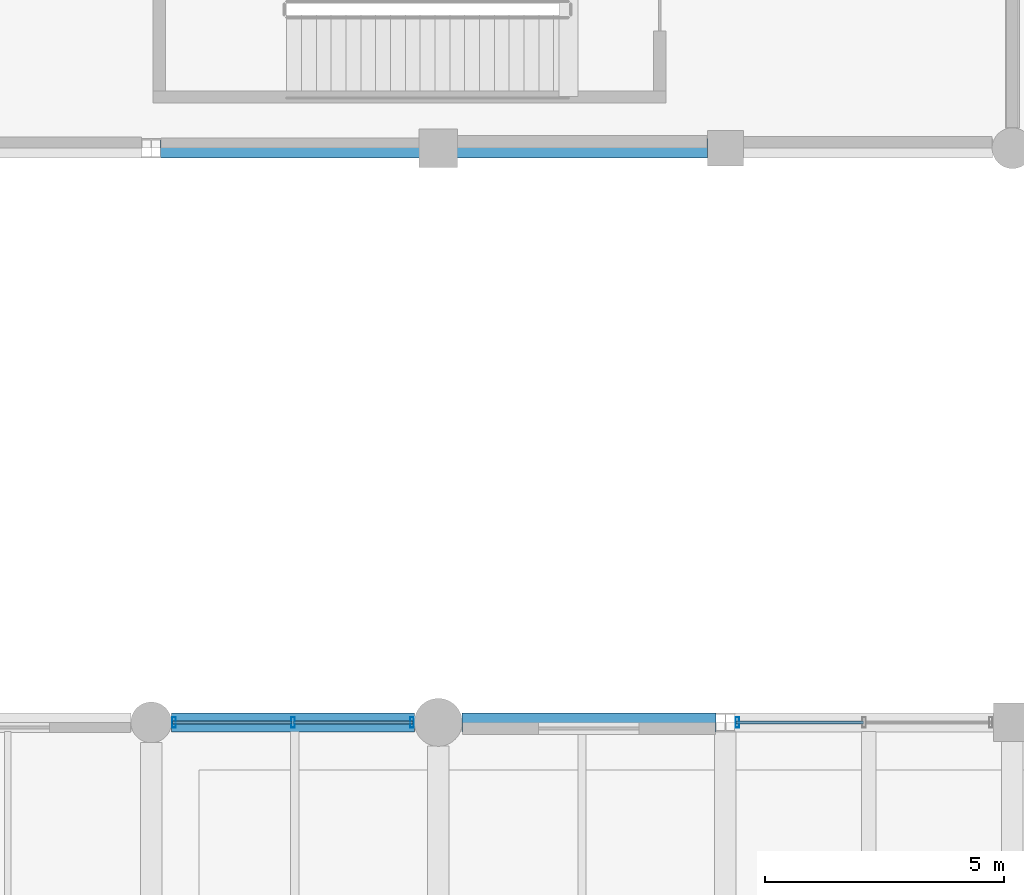
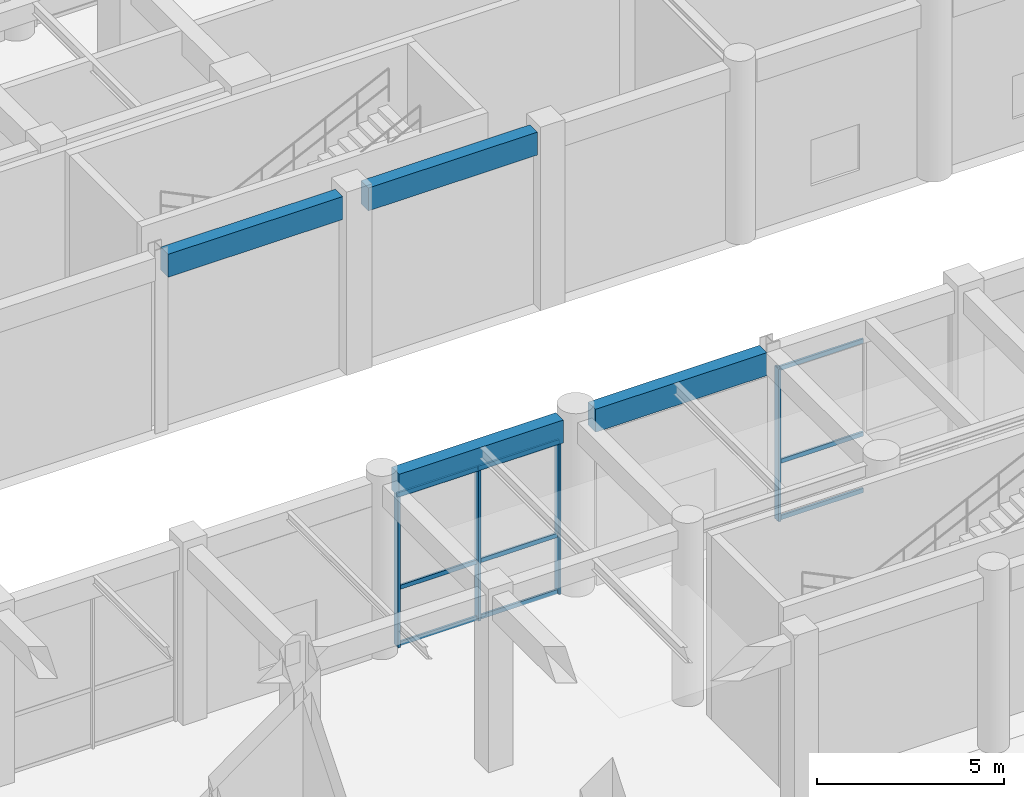
# One storey, part 40 of 106: 13 members, 4 beams, 2 elements without a shape of their own.
"""IFC4 building model written with IfcOpenShell, lengths in metres."""

from ifc_helpers import new_model, si_unit, direction, frame, origin, origin_2d, place, context, subcontext, project, spatial, rectangle, hollow_rectangle, extrude, material, material_profile, profile_set, type_object, element, aggregate, save


model = new_model("IFC4")

# Units and contexts
model_context = context("Model", 3, precision=1e-05, world=origin(), true_north=direction((0.0, 1.0)))
body_context = subcontext(model_context, "Body", "Model", "MODEL_VIEW")
ifc_project = project(units=[si_unit("LENGTHUNIT", "METRE"), si_unit("AREAUNIT", "SQUARE_METRE"), si_unit("VOLUMEUNIT", "CUBIC_METRE"), si_unit("PLANEANGLEUNIT", "RADIAN"), si_unit("MASSUNIT", "GRAM", prefix="KILO"), si_unit("THERMODYNAMICTEMPERATUREUNIT", "KELVIN"), si_unit("POWERUNIT", "WATT")], contexts=[model_context])

# Site, building, storey
site_placement = place(None, origin())
site = spatial("IfcSite", under=ifc_project, at=site_placement, CompositionType="ELEMENT")
building_placement = place(site_placement, origin())
building = spatial("IfcBuilding", under=site, at=building_placement, Name="Phaisarnlok Congress Hotel", CompositionType="ELEMENT")
storey_placement = place(building_placement, origin())
storey = spatial("IfcBuildingStorey", under=building, at=storey_placement, Name="L00", CompositionType="ELEMENT", Elevation=0.0)

# Curtain wall, member
ifc_material_1 = material(Name="Thermally Broken Unitised Aluminium & Low-E Glazing", Category="aluminium")
curtain_wall_type_1 = type_object("IfcCurtainWallType", Name="CW-UNIT-04", PredefinedType="NOTDEFINED", material=ifc_material_1)
curtain_wall_1_placement = place(storey_placement, origin())
curtain_wall_1 = element("IfcCurtainWall", 1, at=curtain_wall_1_placement, inside=storey, type_object=curtain_wall_type_1, Name="Unitised curtain wall CW-04 (L00)", PredefinedType="NOTDEFINED")
ifc_material_2 = material(Name="Anodised Aluminium Alloy 6063-T6", Category="aluminium")
ifc_material_profile_1 = material_profile(ifc_material_2, hollow_rectangle(XDim=0.074951171875, YDim=0.219970703125, WallThickness=0.0048828125, at=origin_2d()), Name="ALU-M 75x220x5")
ifc_profile_set_1 = profile_set([ifc_material_profile_1], Name="Anodised Aluminium Alloy 6063-T6")
member_type_1 = type_object("IfcMemberType", Name="CWM-220", PredefinedType="MULLION", material=ifc_profile_set_1)
member_1_placement = place(storey_placement, frame((78.25048828125, 96.0, 0.0), z_axis=(0.0, 0.0, 1.0), x_axis=(-1.0, 0.0, 0.0)))
member_1 = element("IfcMember", 2, at=member_1_placement, type_object=member_type_1, Name="Curtain wall mullion CWM-02", PredefinedType="MULLION", context=body_context, shape_type="SweptSolid", body=[
    extrude(hollow_rectangle(XDim=0.074951171875, YDim=0.219970703125, WallThickness=0.0048828125, at=origin_2d()), origin(), (0.0, 0.0, 1.0), 4.989990234375),
])

# Curtain wall, members
curtain_wall_type_2 = type_object("IfcCurtainWallType", Name="CW-UNIT-01", PredefinedType="NOTDEFINED", material=ifc_material_1)
curtain_wall_2_placement = place(storey_placement, origin())
curtain_wall_2 = element("IfcCurtainWall", 3, at=curtain_wall_2_placement, inside=storey, type_object=curtain_wall_type_2, Name="Unitised curtain wall CW-01 (L00)", PredefinedType="NOTDEFINED")
member_2_placement = place(storey_placement, frame((71.449951171875, 96.0, 0.0), z_axis=(0.0, 0.0, 1.0), x_axis=(-1.0, 0.0, 0.0)))
member_2 = element("IfcMember", 4, at=member_2_placement, type_object=member_type_1, Name="Curtain wall mullion CWM-02", PredefinedType="MULLION", context=body_context, shape_type="SweptSolid", body=[
    extrude(hollow_rectangle(XDim=0.074951171875, YDim=0.219970703125, WallThickness=0.0048828125, at=origin_2d()), origin(), (0.0, 0.0, 1.0), 4.989990234375),
])
member_3_placement = place(storey_placement, frame((68.96240234375, 96.0, 0.0), z_axis=(0.0, 0.0, 1.0), x_axis=(-1.0, 0.0, 0.0)))
member_3 = element("IfcMember", 5, at=member_3_placement, type_object=member_type_1, Name="Curtain wall mullion CWM-02", PredefinedType="MULLION", context=body_context, shape_type="SweptSolid", body=[
    extrude(hollow_rectangle(XDim=0.074951171875, YDim=0.219970703125, WallThickness=0.0048828125, at=origin_2d()), origin(), (0.0, 0.0, 1.0), 4.989990234375),
])
member_4_placement = place(storey_placement, frame((66.47509765625, 96.0, 0.0), z_axis=(0.0, 0.0, 1.0), x_axis=(-1.0, 0.0, 0.0)))
member_4 = element("IfcMember", 6, at=member_4_placement, type_object=member_type_1, Name="Curtain wall mullion CWM-02", PredefinedType="MULLION", context=body_context, shape_type="SweptSolid", body=[
    extrude(hollow_rectangle(XDim=0.074951171875, YDim=0.219970703125, WallThickness=0.0048828125, at=origin_2d()), origin(), (0.0, 0.0, 1.0), 4.989990234375),
])

# Member
ifc_material_profile_2 = material_profile(ifc_material_2, hollow_rectangle(XDim=0.06494140625, YDim=0.139892578125, WallThickness=0.00390625, at=origin_2d()), Name="ALU-T 65x140x4")
ifc_profile_set_2 = profile_set([ifc_material_profile_2], Name="Anodised Aluminium Alloy 6063-T6")
member_type_2 = type_object("IfcMemberType", Name="CWT-150", PredefinedType="USERDEFINED", material=ifc_profile_set_2)
member_5_placement = place(storey_placement, frame((80.88525390625, 96.0, 0.050048828125), z_axis=(-1.0, 0.0, 0.0), x_axis=(0.0, -1.0, 0.0)))
member_5 = element("IfcMember", 7, at=member_5_placement, type_object=member_type_2, Name="Curtain wall transom CWT-01", ObjectType="TRANSOM", PredefinedType="USERDEFINED", context=body_context, shape_type="SweptSolid", body=[
    extrude(hollow_rectangle(XDim=0.06494140625, YDim=0.139892578125, WallThickness=0.00390625, at=origin_2d()), origin(), (0.0, 0.0, 1.0), 2.65966796875),
])

member_6_placement = place(storey_placement, frame((80.88525390625, 96.0, 1.896240234375), z_axis=(-1.0, 0.0, 0.0), x_axis=(0.0, -1.0, 0.0)))
member_6 = element("IfcMember", 8, at=member_6_placement, type_object=member_type_2, Name="Curtain wall transom CWT-01", ObjectType="TRANSOM", PredefinedType="USERDEFINED", context=body_context, shape_type="SweptSolid", body=[
    extrude(hollow_rectangle(XDim=0.06494140625, YDim=0.139892578125, WallThickness=0.00390625, at=origin_2d()), origin(), (0.0, 0.0, 1.0), 2.65966796875),
])

member_7_placement = place(storey_placement, frame((80.88525390625, 96.0, 4.93994140625), z_axis=(-1.0, 0.0, 0.0), x_axis=(0.0, -1.0, 0.0)))
member_7 = element("IfcMember", 9, at=member_7_placement, type_object=member_type_2, Name="Curtain wall transom CWT-01", ObjectType="TRANSOM", PredefinedType="USERDEFINED", context=body_context, shape_type="SweptSolid", body=[
    extrude(hollow_rectangle(XDim=0.06494140625, YDim=0.139892578125, WallThickness=0.00390625, at=origin_2d()), origin(), (0.0, 0.0, 1.0), 2.65966796875),
])

aggregate(curtain_wall_1, [member_1, member_5, member_6, member_7])

member_8_placement = place(storey_placement, frame((71.47509765625, 96.0, 0.050048828125), z_axis=(-1.0, 0.0, 0.0), x_axis=(0.0, -1.0, 0.0)))
member_8 = element("IfcMember", 10, at=member_8_placement, type_object=member_type_2, Name="Curtain wall transom CWT-01", ObjectType="TRANSOM", PredefinedType="USERDEFINED", context=body_context, shape_type="SweptSolid", body=[
    extrude(hollow_rectangle(XDim=0.06494140625, YDim=0.139892578125, WallThickness=0.00390625, at=origin_2d()), origin(), (0.0, 0.0, 1.0), 2.49755859375),
])

member_9_placement = place(storey_placement, frame((71.47509765625, 96.0, 1.896240234375), z_axis=(-1.0, 0.0, 0.0), x_axis=(0.0, -1.0, 0.0)))
member_9 = element("IfcMember", 11, at=member_9_placement, type_object=member_type_2, Name="Curtain wall transom CWT-01", ObjectType="TRANSOM", PredefinedType="USERDEFINED", context=body_context, shape_type="SweptSolid", body=[
    extrude(hollow_rectangle(XDim=0.06494140625, YDim=0.139892578125, WallThickness=0.00390625, at=origin_2d()), origin(), (0.0, 0.0, 1.0), 2.49755859375),
])

member_10_placement = place(storey_placement, frame((71.47509765625, 96.0, 4.93994140625), z_axis=(-1.0, 0.0, 0.0), x_axis=(0.0, -1.0, 0.0)))
member_10 = element("IfcMember", 12, at=member_10_placement, type_object=member_type_2, Name="Curtain wall transom CWT-01", ObjectType="TRANSOM", PredefinedType="USERDEFINED", context=body_context, shape_type="SweptSolid", body=[
    extrude(hollow_rectangle(XDim=0.06494140625, YDim=0.139892578125, WallThickness=0.00390625, at=origin_2d()), origin(), (0.0, 0.0, 1.0), 2.49755859375),
])

member_11_placement = place(storey_placement, frame((68.947509765625, 96.0, 0.050048828125), z_axis=(-1.0, 0.0, 0.0), x_axis=(0.0, -1.0, 0.0)))
member_11 = element("IfcMember", 13, at=member_11_placement, type_object=member_type_2, Name="Curtain wall transom CWT-01", ObjectType="TRANSOM", PredefinedType="USERDEFINED", context=body_context, shape_type="SweptSolid", body=[
    extrude(hollow_rectangle(XDim=0.06494140625, YDim=0.139892578125, WallThickness=0.00390625, at=origin_2d()), origin(), (0.0, 0.0, 1.0), 2.49755859375),
])

member_12_placement = place(storey_placement, frame((68.947509765625, 96.0, 1.896240234375), z_axis=(-1.0, 0.0, 0.0), x_axis=(0.0, -1.0, 0.0)))
member_12 = element("IfcMember", 14, at=member_12_placement, type_object=member_type_2, Name="Curtain wall transom CWT-01", ObjectType="TRANSOM", PredefinedType="USERDEFINED", context=body_context, shape_type="SweptSolid", body=[
    extrude(hollow_rectangle(XDim=0.06494140625, YDim=0.139892578125, WallThickness=0.00390625, at=origin_2d()), origin(), (0.0, 0.0, 1.0), 2.49755859375),
])

member_13_placement = place(storey_placement, frame((68.947509765625, 96.0, 4.93994140625), z_axis=(-1.0, 0.0, 0.0), x_axis=(0.0, -1.0, 0.0)))
member_13 = element("IfcMember", 15, at=member_13_placement, type_object=member_type_2, Name="Curtain wall transom CWT-01", ObjectType="TRANSOM", PredefinedType="USERDEFINED", context=body_context, shape_type="SweptSolid", body=[
    extrude(hollow_rectangle(XDim=0.06494140625, YDim=0.139892578125, WallThickness=0.00390625, at=origin_2d()), origin(), (0.0, 0.0, 1.0), 2.49755859375),
])

aggregate(curtain_wall_2, [member_2, member_3, member_4, member_8, member_9, member_10, member_11, member_12, member_13])

# Beams
ifc_material_3 = material(Name="Concrete C40/50", Category="concrete")
ifc_material_profile_3 = material_profile(ifc_material_3, rectangle(XDim=0.39990234375, YDim=0.75, at=origin_2d()), Name="RC 400x750")
ifc_profile_set_3 = profile_set([ifc_material_profile_3], Name="Concrete C40/50")
beam_type = type_object("IfcBeamType", Name="SP-RC-400x750", PredefinedType="SPANDREL", material=ifc_profile_set_3)
beam_1_placement = place(storey_placement, frame((66.419921875, 96.0, 5.364990234375), z_axis=(1.0, 0.0, 0.0), x_axis=(0.0, 1.0, 0.0)))
element("IfcBeam", 16, at=beam_1_placement, inside=storey, type_object=beam_type, Name="Beam SP-02", PredefinedType="SPANDREL", context=body_context, shape_type="SweptSolid", body=[
    extrude(rectangle(XDim=0.39990234375, YDim=0.75, at=origin_2d()), origin(), (0.0, 0.0, 1.0), 5.0849609375),
])
beam_2_placement = place(storey_placement, frame((66.195556640625, 108.0, 5.364990234375), z_axis=(1.0, 0.0, 0.0), x_axis=(0.0, 1.0, 0.0)))
element("IfcBeam", 17, at=beam_2_placement, inside=storey, type_object=beam_type, Name="Beam SP-02", PredefinedType="SPANDREL", context=body_context, shape_type="SweptSolid", body=[
    extrude(rectangle(XDim=0.39990234375, YDim=0.75, at=origin_2d()), origin(), (0.0, 0.0, 1.0), 5.409423828125),
])
beam_3_placement = place(storey_placement, frame((72.4951171875, 96.0, 5.364990234375), z_axis=(1.0, 0.0, 0.0), x_axis=(0.0, 1.0, 0.0)))
element("IfcBeam", 18, at=beam_3_placement, inside=storey, type_object=beam_type, Name="Beam SP-02", PredefinedType="SPANDREL", context=body_context, shape_type="SweptSolid", body=[
    extrude(rectangle(XDim=0.39990234375, YDim=0.75, at=origin_2d()), origin(), (0.0, 0.0, 1.0), 5.309326171875),
])
beam_4_placement = place(storey_placement, frame((72.39501953125, 108.0, 5.364990234375), z_axis=(1.0, 0.0, 0.0), x_axis=(0.0, 1.0, 0.0)))
element("IfcBeam", 19, at=beam_4_placement, inside=storey, type_object=beam_type, Name="Beam SP-02", PredefinedType="SPANDREL", context=body_context, shape_type="SweptSolid", body=[
    extrude(rectangle(XDim=0.39990234375, YDim=0.75, at=origin_2d()), origin(), (0.0, 0.0, 1.0), 5.23486328125),
])

save(model, "model.ifc")
